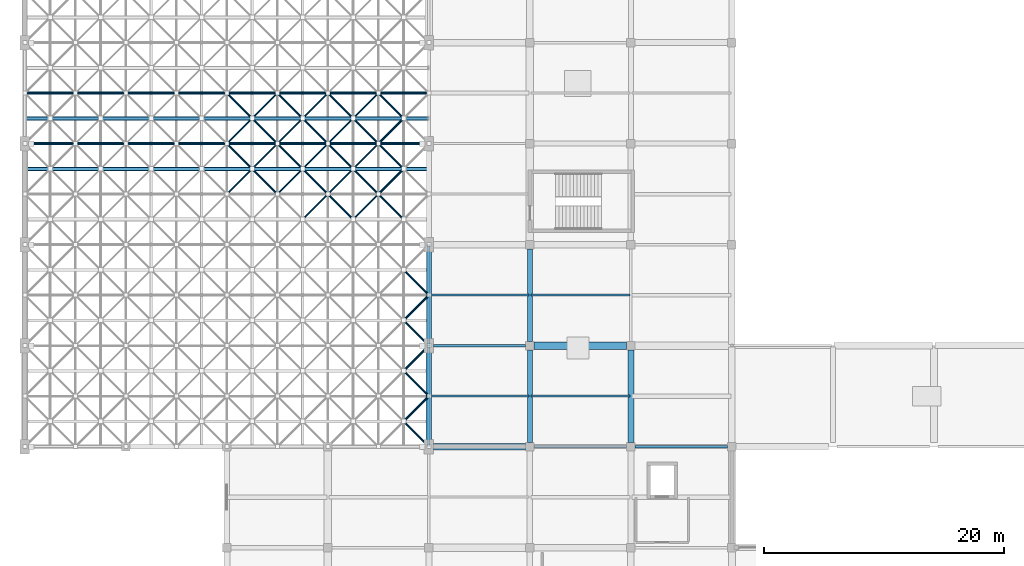
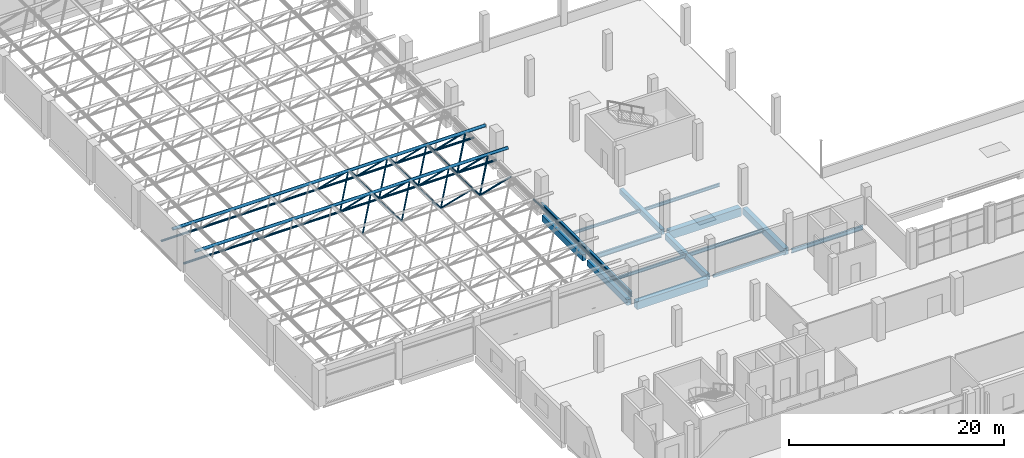
# One storey, part 17 of 64: 43 members, 16 beams.
"""IFC4 building model written with IfcOpenShell, lengths in metres."""

from ifc_helpers import new_model, si_unit, derived_unit, direction, frame, origin, origin_2d, place, context, subcontext, project, spatial, rectangle, hollow_rectangle, hollow_circle, i_section, extrude, material, material_profile, profile_set, type_object, element, save


model = new_model("IFC4")

# Units and contexts
model_context = context("Model", 3, precision=1e-05, world=origin(), true_north=direction((0.0, 1.0)))
body_context = subcontext(model_context, "Body", "Model", "MODEL_VIEW")
ifc_project = project(units=[si_unit("LENGTHUNIT", "METRE"), si_unit("AREAUNIT", "SQUARE_METRE"), si_unit("VOLUMEUNIT", "CUBIC_METRE"), si_unit("PLANEANGLEUNIT", "RADIAN"), si_unit("MASSUNIT", "GRAM", prefix="KILO"), derived_unit("THERMALTRANSMITTANCEUNIT", [(si_unit("POWERUNIT", "WATT"), 1), (si_unit("LENGTHUNIT", "METRE"), -2), (si_unit("THERMODYNAMICTEMPERATUREUNIT", "KELVIN"), -1)])], contexts=[model_context])

# Site, building, storey
site_placement = place(None, origin())
site = spatial("IfcSite", under=ifc_project, at=site_placement, CompositionType="ELEMENT")
building_placement = place(site_placement, origin())
building = spatial("IfcBuilding", under=site, at=building_placement, Name="Barrovel Congress Hotel", CompositionType="ELEMENT")
storey_placement = place(building_placement, frame((0.0, 0.0, 14.10009765625)))
storey = spatial("IfcBuildingStorey", under=building, at=storey_placement, Name="L03", CompositionType="ELEMENT", Elevation=14.10009765625)

# Beams
ifc_material_1 = material(Name="Concrete C40", Category="concrete")
ifc_material_profile_1 = material_profile(ifc_material_1, rectangle(XDim=0.39990234375, YDim=0.60009765625, at=origin_2d()), Name="RC400x600")
ifc_profile_set_1 = profile_set([ifc_material_profile_1], Name="Concrete C40")
beam_type_1 = type_object("IfcBeamType", Name="BM-RC400x600", PredefinedType="BEAM", material=ifc_profile_set_1)
beam_1_placement = place(storey_placement, frame((42.0, 46.550048828125, -0.5400390625), z_axis=(0.0, 1.0, 0.0), x_axis=(-1.0, 0.0, 0.0)))
element("IfcBeam", 1, at=beam_1_placement, inside=storey, type_object=beam_type_1, Name="BMY:L03:42.0:46.2-54.6", PredefinedType="BEAM", context=body_context, shape_type="SweptSolid", body=[
    extrude(rectangle(XDim=0.39990234375, YDim=0.60009765625, at=origin_2d()), origin(), (0.0, 0.0, 1.0), 7.699951171875),
])
ifc_material_profile_2 = material_profile(ifc_material_1, rectangle(XDim=0.39990234375, YDim=0.699951171875, at=origin_2d()), Name="RC400x700")
ifc_profile_set_2 = profile_set([ifc_material_profile_2], Name="Concrete C40")
beam_type_2 = type_object("IfcBeamType", Name="BM-RC400x700", PredefinedType="BEAM", material=ifc_profile_set_2)
beam_2_placement = place(storey_placement, frame((33.60009765625, 46.64990234375, -0.590087890625), z_axis=(0.0, 1.0, 0.0), x_axis=(-1.0, 0.0, 0.0)))
element("IfcBeam", 2, at=beam_2_placement, inside=storey, type_object=beam_type_2, Name="BMY:L03:33.6:46.2-54.6", PredefinedType="BEAM", context=body_context, shape_type="SweptSolid", body=[
    extrude(rectangle(XDim=0.39990234375, YDim=0.699951171875, at=origin_2d()), origin(), (0.0, 0.0, 1.0), 7.5),
])
beam_3_placement = place(storey_placement, frame((42.0, 38.14990234375, -0.590087890625), z_axis=(0.0, 1.0, 0.0), x_axis=(-1.0, 0.0, 0.0)))
element("IfcBeam", 3, at=beam_3_placement, inside=storey, type_object=beam_type_2, Name="BMY:L03:42.0:37.8-46.2", PredefinedType="BEAM", context=body_context, shape_type="SweptSolid", body=[
    extrude(rectangle(XDim=0.39990234375, YDim=0.699951171875, at=origin_2d()), origin(), (0.0, 0.0, 1.0), 7.7001953125),
])
ifc_material_profile_3 = material_profile(ifc_material_1, rectangle(XDim=0.449951171875, YDim=0.64990234375, at=origin_2d()), Name="RC450x650")
ifc_profile_set_3 = profile_set([ifc_material_profile_3], Name="Concrete C40")
beam_type_3 = type_object("IfcBeamType", Name="BM-RC450x650", PredefinedType="BEAM", material=ifc_profile_set_3)
beam_4_placement = place(storey_placement, frame((33.60009765625, 38.25, -0.565185546875), z_axis=(0.0, 1.0, 0.0), x_axis=(-1.0, 0.0, 0.0)))
element("IfcBeam", 4, at=beam_4_placement, inside=storey, type_object=beam_type_3, Name="BMY:L03:33.6:37.8-46.2", PredefinedType="BEAM", context=body_context, shape_type="SweptSolid", body=[
    extrude(rectangle(XDim=0.449951171875, YDim=0.64990234375, at=origin_2d()), origin(), (0.0, 0.0, 1.0), 7.5),
])
ifc_material_profile_4 = material_profile(ifc_material_1, rectangle(XDim=0.5, YDim=0.75, at=origin_2d()), Name="RC500x750")
ifc_profile_set_4 = profile_set([ifc_material_profile_4], Name="Concrete C40")
beam_type_4 = type_object("IfcBeamType", Name="BM-RC500x750", PredefinedType="BEAM", material=ifc_profile_set_4)
beam_5_placement = place(storey_placement, frame((50.39990234375, 38.14990234375, -0.614990234375), z_axis=(0.0, 1.0, 0.0), x_axis=(-1.0, 0.0, 0.0)))
element("IfcBeam", 5, at=beam_5_placement, inside=storey, type_object=beam_type_4, Name="BMY:L03:50.4:37.8-46.2", PredefinedType="BEAM", context=body_context, shape_type="SweptSolid", body=[
    extrude(rectangle(XDim=0.5, YDim=0.75, at=origin_2d()), origin(), (0.0, 0.0, 1.0), 7.7001953125),
])
ifc_material_profile_5 = material_profile(ifc_material_1, rectangle(XDim=0.550048828125, YDim=0.89990234375, at=origin_2d()), Name="RC550x900")
ifc_profile_set_5 = profile_set([ifc_material_profile_5], Name="Concrete C40")
beam_type_5 = type_object("IfcBeamType", Name="BM-RC550x900", PredefinedType="BEAM", material=ifc_profile_set_5)
beam_6_placement = place(storey_placement, frame((34.0, 37.800048828125, -0.690185546875), z_axis=(1.0, 0.0, 0.0), x_axis=(0.0, 1.0, 0.0)))
element("IfcBeam", 6, at=beam_6_placement, inside=storey, type_object=beam_type_5, Name="BMX:L03:37.8:33.6-42.0", PredefinedType="BEAM", context=body_context, shape_type="SweptSolid", body=[
    extrude(rectangle(XDim=0.550048828125, YDim=0.89990234375, at=origin_2d()), origin(), (0.0, 0.0, 1.0), 7.64990234375),
])
ifc_material_profile_6 = material_profile(ifc_material_1, rectangle(XDim=0.60009765625, YDim=0.949951171875, at=origin_2d()), Name="RC600x950")
ifc_profile_set_6 = profile_set([ifc_material_profile_6], Name="Concrete C40")
beam_type_6 = type_object("IfcBeamType", Name="BM-RC600x950", PredefinedType="BEAM", material=ifc_profile_set_6)
beam_7_placement = place(storey_placement, frame((42.35009765625, 46.199951171875, -0.715087890625), z_axis=(1.0, 0.0, 0.0), x_axis=(0.0, 1.0, 0.0)))
element("IfcBeam", 7, at=beam_7_placement, inside=storey, type_object=beam_type_6, Name="BMX:L03:46.2:42.0-50.4", PredefinedType="BEAM", context=body_context, shape_type="SweptSolid", body=[
    extrude(rectangle(XDim=0.60009765625, YDim=0.949951171875, at=origin_2d()), origin(), (0.0, 0.0, 1.0), 7.699951171875),
])

# Members
ifc_material_2 = material(Name="Steel ASTM A500 Grade C", Category="steel")
ifc_material_profile_7 = material_profile(ifc_material_2, hollow_circle(Radius=0.084228515625, WallThickness=0.006591796875, at=origin_2d()), Name="CHS168.3x7.1")
ifc_profile_set_7 = profile_set([ifc_material_profile_7], Name="Steel ASTM A500 Grade C")
member_type_1 = type_object("IfcMemberType", Name="MEM-CHS168.3x7.1", PredefinedType="BRACE", material=ifc_profile_set_7)
for number, where, z_axis, x_axis, name in (
    (8, (16.800048828125, 58.800048828125, 0.599853515625), (0.527573976661, 0.527573976661, 0.665831358755), (-0.707106781187, 0.707106781187, 0.0), "Space Frame Roof Truss Diagonal 4-5-1"),
    (9, (21.0, 58.800048828125, 0.599853515625), (-0.527618240532, 0.527556903839, 0.665809811786), (-0.707065676302, -0.707147883682, 0.0), "Space Frame Roof Truss Diagonal 4-5-2"),
    (10, (16.800048828125, 63.0, 0.599853515625), (0.527556903839, -0.527618240532, 0.665809811786), (0.707147883682, 0.707065676302, 0.0), "Space Frame Roof Truss Diagonal 4-5-3"),
):
    element("IfcMember", number, at=place(storey_placement, frame(where, z_axis=z_axis, x_axis=x_axis)), inside=storey, type_object=member_type_1, Name=name, PredefinedType="BRACE", context=body_context, shape_type="SweptSolid", body=[
        extrude(hollow_circle(Radius=0.084228515625, WallThickness=0.006591796875, at=origin_2d()), origin(), (0.0, 0.0, 1.0), 3.980224609375),
    ])
member_1_placement = place(storey_placement, frame((21.0, 63.0, 0.599853515625), z_axis=(-0.527601167383, -0.527601167383, 0.665788266908), x_axis=(0.707106781187, -0.707106781187, 0.0)))
element("IfcMember", 11, at=member_1_placement, inside=storey, type_object=member_type_1, Name="Space Frame Roof Truss Diagonal 4-5-4", PredefinedType="BRACE", context=body_context, shape_type="SweptSolid", body=[
    extrude(hollow_circle(Radius=0.084228515625, WallThickness=0.006591796875, at=origin_2d()), origin(), (0.0, 0.0, 1.0), 3.98046875),
])
member_2_placement = place(storey_placement, frame((25.199951171875, 58.800048828125, 0.599853515625), z_axis=(-0.527556903839, -0.527618240532, 0.665809811786), x_axis=(0.707147883682, -0.707065676302, 0.0)))
element("IfcMember", 12, at=member_2_placement, inside=storey, type_object=member_type_1, Name="Space Frame Roof Truss Diagonal 5-4-4", PredefinedType="BRACE", context=body_context, shape_type="SweptSolid", body=[
    extrude(hollow_circle(Radius=0.084228515625, WallThickness=0.006591796875, at=origin_2d()), origin(), (0.0, 0.0, 1.0), 3.980224609375),
])
member_3_placement = place(storey_placement, frame((21.0, 63.0, 0.599853515625), z_axis=(0.527601167383, 0.527601167383, 0.665788266908), x_axis=(-0.707106781187, 0.707106781187, 0.0)))
element("IfcMember", 13, at=member_3_placement, inside=storey, type_object=member_type_1, Name="Space Frame Roof Truss Diagonal 5-6-1", PredefinedType="BRACE", context=body_context, shape_type="SweptSolid", body=[
    extrude(hollow_circle(Radius=0.084228515625, WallThickness=0.006591796875, at=origin_2d()), origin(), (0.0, 0.0, 1.0), 3.98046875),
])
for number, where, z_axis, x_axis, name in (
    (14, (25.199951171875, 63.0, 0.599853515625), (-0.527556903839, 0.527618240532, 0.665809811786), (-0.707147883682, -0.707065676302, 0.0), "Space Frame Roof Truss Diagonal 5-6-2"),
    (15, (21.0, 67.199951171875, 0.599853515625), (0.527618240532, -0.527556903839, 0.665809811786), (0.707065676302, 0.707147883682, 0.0), "Space Frame Roof Truss Diagonal 5-6-3"),
    (16, (25.199951171875, 67.199951171875, 0.599853515625), (-0.527573976661, -0.527573976661, 0.665831358755), (0.707106781187, -0.707106781187, 0.0), "Space Frame Roof Truss Diagonal 5-6-4"),
    (17, (25.199951171875, 58.800048828125, 0.599853515625), (0.527618240532, 0.527556903839, 0.665809811786), (-0.707065676302, 0.707147883682, 0.0), "Space Frame Roof Truss Diagonal 6-5-1"),
    (18, (29.39990234375, 58.800048828125, 0.599853515625), (-0.527573976661, 0.527573976661, 0.665831358755), (-0.707106781187, -0.707106781187, 0.0), "Space Frame Roof Truss Diagonal 6-5-2"),
):
    element("IfcMember", number, at=place(storey_placement, frame(where, z_axis=z_axis, x_axis=x_axis)), inside=storey, type_object=member_type_1, Name=name, PredefinedType="BRACE", context=body_context, shape_type="SweptSolid", body=[
        extrude(hollow_circle(Radius=0.084228515625, WallThickness=0.006591796875, at=origin_2d()), origin(), (0.0, 0.0, 1.0), 3.980224609375),
    ])
member_4_placement = place(storey_placement, frame((25.199951171875, 63.0, 0.599853515625), z_axis=(0.527601167383, -0.527601167383, 0.665788266908), x_axis=(0.707106781187, 0.707106781187, 0.0)))
element("IfcMember", 19, at=member_4_placement, inside=storey, type_object=member_type_1, Name="Space Frame Roof Truss Diagonal 6-5-3", PredefinedType="BRACE", context=body_context, shape_type="SweptSolid", body=[
    extrude(hollow_circle(Radius=0.084228515625, WallThickness=0.006591796875, at=origin_2d()), origin(), (0.0, 0.0, 1.0), 3.98046875),
])
member_5_placement = place(storey_placement, frame((29.39990234375, 63.0, 0.599853515625), z_axis=(-0.527556903839, -0.527618240532, 0.665809811786), x_axis=(0.707147883682, -0.707065676302, 0.0)))
element("IfcMember", 20, at=member_5_placement, inside=storey, type_object=member_type_1, Name="Space Frame Roof Truss Diagonal 6-5-4", PredefinedType="BRACE", context=body_context, shape_type="SweptSolid", body=[
    extrude(hollow_circle(Radius=0.084228515625, WallThickness=0.006591796875, at=origin_2d()), origin(), (0.0, 0.0, 1.0), 3.980224609375),
])
ifc_material_profile_8 = material_profile(ifc_material_2, hollow_circle(Radius=0.084228515625, WallThickness=0.0087890625, at=origin_2d()), Name="CHS168.3x9.5")
ifc_profile_set_8 = profile_set([ifc_material_profile_8], Name="Steel ASTM A500 Grade C")
member_type_2 = type_object("IfcMemberType", Name="MEM-CHS168.3x9.5", PredefinedType="BRACE", material=ifc_profile_set_8)
member_6_placement = place(storey_placement, frame((16.800048828125, 63.0, 0.599853515625), z_axis=(0.527556903839, 0.527618240532, 0.665809811786), x_axis=(-0.707147883682, 0.707065676302, 0.0)))
element("IfcMember", 21, at=member_6_placement, inside=storey, type_object=member_type_2, Name="Space Frame Roof Truss Diagonal 4-6-1", PredefinedType="BRACE", context=body_context, shape_type="SweptSolid", body=[
    extrude(hollow_circle(Radius=0.084228515625, WallThickness=0.0087890625, at=origin_2d()), origin(), (0.0, 0.0, 1.0), 3.980224609375),
])
member_7_placement = place(storey_placement, frame((21.0, 63.0, 0.599853515625), z_axis=(-0.527601167383, 0.527601167383, 0.665788266908), x_axis=(-0.707106781187, -0.707106781187, 0.0)))
element("IfcMember", 22, at=member_7_placement, inside=storey, type_object=member_type_2, Name="Space Frame Roof Truss Diagonal 4-6-2", PredefinedType="BRACE", context=body_context, shape_type="SweptSolid", body=[
    extrude(hollow_circle(Radius=0.084228515625, WallThickness=0.0087890625, at=origin_2d()), origin(), (0.0, 0.0, 1.0), 3.98046875),
])
for number, where, z_axis, x_axis, name in (
    (23, (16.800048828125, 67.199951171875, 0.599853515625), (0.527573976661, -0.527573976661, 0.665831358755), (0.707106781187, 0.707106781187, 0.0), "Space Frame Roof Truss Diagonal 4-6-3"),
    (24, (21.0, 67.199951171875, 0.599853515625), (-0.527618240532, -0.527556903839, 0.665809811786), (0.707065676302, -0.707147883682, 0.0), "Space Frame Roof Truss Diagonal 4-6-4"),
    (25, (21.0, 58.800048828125, 0.599853515625), (0.527618240532, 0.527556903839, 0.665809811786), (-0.707065676302, 0.707147883682, 0.0), "Space Frame Roof Truss Diagonal 5-5-1"),
    (26, (25.199951171875, 58.800048828125, 0.599853515625), (-0.527573976661, 0.527573976661, 0.665831358755), (-0.707106781187, -0.707106781187, 0.0), "Space Frame Roof Truss Diagonal 5-5-2"),
):
    element("IfcMember", number, at=place(storey_placement, frame(where, z_axis=z_axis, x_axis=x_axis)), inside=storey, type_object=member_type_2, Name=name, PredefinedType="BRACE", context=body_context, shape_type="SweptSolid", body=[
        extrude(hollow_circle(Radius=0.084228515625, WallThickness=0.0087890625, at=origin_2d()), origin(), (0.0, 0.0, 1.0), 3.980224609375),
    ])
member_8_placement = place(storey_placement, frame((21.0, 63.0, 0.599853515625), z_axis=(0.527601167383, -0.527601167383, 0.665788266908), x_axis=(0.707106781187, 0.707106781187, 0.0)))
element("IfcMember", 27, at=member_8_placement, inside=storey, type_object=member_type_2, Name="Space Frame Roof Truss Diagonal 5-5-3", PredefinedType="BRACE", context=body_context, shape_type="SweptSolid", body=[
    extrude(hollow_circle(Radius=0.084228515625, WallThickness=0.0087890625, at=origin_2d()), origin(), (0.0, 0.0, 1.0), 3.98046875),
])
member_9_placement = place(storey_placement, frame((25.199951171875, 63.0, 0.599853515625), z_axis=(-0.527556903839, -0.527618240532, 0.665809811786), x_axis=(0.707147883682, -0.707065676302, 0.0)))
element("IfcMember", 28, at=member_9_placement, inside=storey, type_object=member_type_2, Name="Space Frame Roof Truss Diagonal 5-5-4", PredefinedType="BRACE", context=body_context, shape_type="SweptSolid", body=[
    extrude(hollow_circle(Radius=0.084228515625, WallThickness=0.0087890625, at=origin_2d()), origin(), (0.0, 0.0, 1.0), 3.980224609375),
])
member_10_placement = place(storey_placement, frame((25.199951171875, 58.800048828125, 0.599853515625), z_axis=(0.527601167383, -0.527601167383, 0.665788266908), x_axis=(0.707106781187, 0.707106781187, 0.0)))
element("IfcMember", 29, at=member_10_placement, inside=storey, type_object=member_type_2, Name="Space Frame Roof Truss Diagonal 6-4-3", PredefinedType="BRACE", context=body_context, shape_type="SweptSolid", body=[
    extrude(hollow_circle(Radius=0.084228515625, WallThickness=0.0087890625, at=origin_2d()), origin(), (0.0, 0.0, 1.0), 3.98046875),
])
member_11_placement = place(storey_placement, frame((29.39990234375, 58.800048828125, 0.599853515625), z_axis=(-0.527556903839, -0.527618240532, 0.665809811786), x_axis=(0.707147883682, -0.707065676302, 0.0)))
element("IfcMember", 30, at=member_11_placement, inside=storey, type_object=member_type_2, Name="Space Frame Roof Truss Diagonal 6-4-4", PredefinedType="BRACE", context=body_context, shape_type="SweptSolid", body=[
    extrude(hollow_circle(Radius=0.084228515625, WallThickness=0.0087890625, at=origin_2d()), origin(), (0.0, 0.0, 1.0), 3.980224609375),
])
member_12_placement = place(storey_placement, frame((25.199951171875, 63.0, 0.599853515625), z_axis=(0.527601167383, 0.527601167383, 0.665788266908), x_axis=(-0.707106781187, 0.707106781187, 0.0)))
element("IfcMember", 31, at=member_12_placement, inside=storey, type_object=member_type_2, Name="Space Frame Roof Truss Diagonal 6-6-1", PredefinedType="BRACE", context=body_context, shape_type="SweptSolid", body=[
    extrude(hollow_circle(Radius=0.084228515625, WallThickness=0.0087890625, at=origin_2d()), origin(), (0.0, 0.0, 1.0), 3.98046875),
])
for number, where, z_axis, x_axis, name in (
    (32, (29.39990234375, 63.0, 0.599853515625), (-0.527556903839, 0.527618240532, 0.665809811786), (-0.707147883682, -0.707065676302, 0.0), "Space Frame Roof Truss Diagonal 6-6-2"),
    (33, (25.199951171875, 67.199951171875, 0.599853515625), (0.527618240532, -0.527556903839, 0.665809811786), (0.707065676302, 0.707147883682, 0.0), "Space Frame Roof Truss Diagonal 6-6-3"),
    (34, (29.39990234375, 67.199951171875, 0.599853515625), (-0.527573976661, -0.527573976661, 0.665831358755), (0.707106781187, -0.707106781187, 0.0), "Space Frame Roof Truss Diagonal 6-6-4"),
):
    element("IfcMember", number, at=place(storey_placement, frame(where, z_axis=z_axis, x_axis=x_axis)), inside=storey, type_object=member_type_2, Name=name, PredefinedType="BRACE", context=body_context, shape_type="SweptSolid", body=[
        extrude(hollow_circle(Radius=0.084228515625, WallThickness=0.0087890625, at=origin_2d()), origin(), (0.0, 0.0, 1.0), 3.980224609375),
    ])
ifc_material_profile_9 = material_profile(ifc_material_2, hollow_circle(Radius=0.096923828125, WallThickness=0.0087890625, at=origin_2d()), Name="CHS193.7x9.5")
ifc_profile_set_9 = profile_set([ifc_material_profile_9], Name="Steel ASTM A500 Grade C")
member_type_3 = type_object("IfcMemberType", Name="MEM-CHS193.7x9.5", PredefinedType="BRACE", material=ifc_profile_set_9)
member_13_placement = place(storey_placement, frame((33.60009765625, 37.800048828125, 0.599853515625), z_axis=(-0.527618240532, 0.527556903839, 0.665809811786), x_axis=(-0.707065676302, -0.707147883682, 0.0)))
element("IfcMember", 35, at=member_13_placement, inside=storey, type_object=member_type_3, Name="Space Frame Roof Truss Diagonal 7-0-2", PredefinedType="BRACE", context=body_context, shape_type="SweptSolid", body=[
    extrude(hollow_circle(Radius=0.096923828125, WallThickness=0.0087890625, at=origin_2d()), origin(), (0.0, 0.0, 1.0), 3.980224609375),
])
for number, where, z_axis, x_axis, name in (
    (36, (33.60009765625, 42.0, 0.599853515625), (-0.527601167383, -0.527601167383, 0.665788266908), (0.707106781187, -0.707106781187, 0.0), "Space Frame Roof Truss Diagonal 7-0-4"),
    (37, (33.60009765625, 42.0, 0.599853515625), (-0.527601167383, 0.527601167383, 0.665788266908), (-0.707106781187, -0.707106781187, 0.0), "Space Frame Roof Truss Diagonal 7-1-2"),
):
    element("IfcMember", number, at=place(storey_placement, frame(where, z_axis=z_axis, x_axis=x_axis)), inside=storey, type_object=member_type_3, Name=name, PredefinedType="BRACE", context=body_context, shape_type="SweptSolid", body=[
        extrude(hollow_circle(Radius=0.096923828125, WallThickness=0.0087890625, at=origin_2d()), origin(), (0.0, 0.0, 1.0), 3.98046875),
    ])
member_14_placement = place(storey_placement, frame((33.60009765625, 46.199951171875, 0.599853515625), z_axis=(-0.527618240532, -0.527556903839, 0.665809811786), x_axis=(0.707065676302, -0.707147883682, 0.0)))
element("IfcMember", 38, at=member_14_placement, inside=storey, type_object=member_type_3, Name="Space Frame Roof Truss Diagonal 7-1-4", PredefinedType="BRACE", context=body_context, shape_type="SweptSolid", body=[
    extrude(hollow_circle(Radius=0.096923828125, WallThickness=0.0087890625, at=origin_2d()), origin(), (0.0, 0.0, 1.0), 3.980224609375),
])
member_15_placement = place(storey_placement, frame((33.60009765625, 46.199951171875, 0.599853515625), z_axis=(-0.527601167383, 0.527601167383, 0.665788266908), x_axis=(-0.707106781187, -0.707106781187, 0.0)))
element("IfcMember", 39, at=member_15_placement, inside=storey, type_object=member_type_3, Name="Space Frame Roof Truss Diagonal 7-2-2", PredefinedType="BRACE", context=body_context, shape_type="SweptSolid", body=[
    extrude(hollow_circle(Radius=0.096923828125, WallThickness=0.0087890625, at=origin_2d()), origin(), (0.0, 0.0, 1.0), 3.98046875),
])
member_16_placement = place(storey_placement, frame((33.60009765625, 50.39990234375, 0.599853515625), z_axis=(-0.527618240532, -0.527556903839, 0.665809811786), x_axis=(0.707065676302, -0.707147883682, 0.0)))
element("IfcMember", 40, at=member_16_placement, inside=storey, type_object=member_type_3, Name="Space Frame Roof Truss Diagonal 7-2-4", PredefinedType="BRACE", context=body_context, shape_type="SweptSolid", body=[
    extrude(hollow_circle(Radius=0.096923828125, WallThickness=0.0087890625, at=origin_2d()), origin(), (0.0, 0.0, 1.0), 3.980224609375),
])
for number, where, z_axis, x_axis, name in (
    (41, (33.60009765625, 50.39990234375, 0.599853515625), (-0.527601167383, 0.527601167383, 0.665788266908), (-0.707106781187, -0.707106781187, 0.0), "Space Frame Roof Truss Diagonal 7-3-2"),
    (42, (29.39990234375, 58.800048828125, 0.599853515625), (0.527601167383, -0.527601167383, 0.665788266908), (0.707106781187, 0.707106781187, 0.0), "Space Frame Roof Truss Diagonal 7-4-3"),
):
    element("IfcMember", number, at=place(storey_placement, frame(where, z_axis=z_axis, x_axis=x_axis)), inside=storey, type_object=member_type_3, Name=name, PredefinedType="BRACE", context=body_context, shape_type="SweptSolid", body=[
        extrude(hollow_circle(Radius=0.096923828125, WallThickness=0.0087890625, at=origin_2d()), origin(), (0.0, 0.0, 1.0), 3.98046875),
    ])
member_17_placement = place(storey_placement, frame((29.39990234375, 58.800048828125, 0.599853515625), z_axis=(0.527618240532, 0.527556903839, 0.665809811786), x_axis=(-0.707065676302, 0.707147883682, 0.0)))
element("IfcMember", 43, at=member_17_placement, inside=storey, type_object=member_type_3, Name="Space Frame Roof Truss Diagonal 7-5-1", PredefinedType="BRACE", context=body_context, shape_type="SweptSolid", body=[
    extrude(hollow_circle(Radius=0.096923828125, WallThickness=0.0087890625, at=origin_2d()), origin(), (0.0, 0.0, 1.0), 3.980224609375),
])
for number, where, z_axis, x_axis, name in (
    (44, (29.39990234375, 63.0, 0.599853515625), (0.527601167383, -0.527601167383, 0.665788266908), (0.707106781187, 0.707106781187, 0.0), "Space Frame Roof Truss Diagonal 7-5-3"),
    (45, (29.39990234375, 63.0, 0.599853515625), (0.527601167383, 0.527601167383, 0.665788266908), (-0.707106781187, 0.707106781187, 0.0), "Space Frame Roof Truss Diagonal 7-6-1"),
):
    element("IfcMember", number, at=place(storey_placement, frame(where, z_axis=z_axis, x_axis=x_axis)), inside=storey, type_object=member_type_3, Name=name, PredefinedType="BRACE", context=body_context, shape_type="SweptSolid", body=[
        extrude(hollow_circle(Radius=0.096923828125, WallThickness=0.0087890625, at=origin_2d()), origin(), (0.0, 0.0, 1.0), 3.98046875),
    ])
member_18_placement = place(storey_placement, frame((29.39990234375, 67.199951171875, 0.599853515625), z_axis=(0.527618240532, -0.527556903839, 0.665809811786), x_axis=(0.707065676302, 0.707147883682, 0.0)))
element("IfcMember", 46, at=member_18_placement, inside=storey, type_object=member_type_3, Name="Space Frame Roof Truss Diagonal 7-6-3", PredefinedType="BRACE", context=body_context, shape_type="SweptSolid", body=[
    extrude(hollow_circle(Radius=0.096923828125, WallThickness=0.0087890625, at=origin_2d()), origin(), (0.0, 0.0, 1.0), 3.980224609375),
])
ifc_material_profile_10 = material_profile(ifc_material_2, hollow_circle(Radius=0.122314453125, WallThickness=0.01171875, at=origin_2d()), Name="CHS244.5x12.7")
ifc_profile_set_10 = profile_set([ifc_material_profile_10], Name="Steel ASTM A500 Grade C")
member_type_4 = type_object("IfcMemberType", Name="MEM-CHS244.5x12.7", PredefinedType="CHORD", material=ifc_profile_set_10)
for number, where, z_axis, x_axis, name in (
    (47, (0.0, 63.0, 0.599853515625), (1.0, 0.0, 0.0), (0.0, 1.0, 0.0), "Space Frame Roof Truss Bottom Chord X 6"),
    (48, (0.0, 67.199951171875, 0.599853515625), (1.0, 0.0, 0.0), (0.0, 1.0, 0.0), "Space Frame Roof Truss Bottom Chord X 7"),
):
    element("IfcMember", number, at=place(storey_placement, frame(where, z_axis=z_axis, x_axis=x_axis)), inside=storey, type_object=member_type_4, Name=name, PredefinedType="CHORD", context=body_context, shape_type="SweptSolid", body=[
        extrude(hollow_circle(Radius=0.122314453125, WallThickness=0.01171875, at=origin_2d()), origin(), (0.0, 0.0, 1.0), 33.60009765625),
    ])
ifc_material_profile_11 = material_profile(ifc_material_2, hollow_circle(Radius=0.161865234375, WallThickness=0.01171875, at=origin_2d()), Name="CHS323.9x12.7")
ifc_profile_set_11 = profile_set([ifc_material_profile_11], Name="Steel ASTM A500 Grade C")
member_type_5 = type_object("IfcMemberType", Name="MEM-CHS323.9x12.7", PredefinedType="CHORD", material=ifc_profile_set_11)
for number, where, z_axis, x_axis, name in (
    (49, (0.0, 60.89990234375, 3.25), (1.0, 0.0, 0.0), (0.0, 1.0, 0.0), "Space Frame Roof Truss Top Chord X 5"),
    (50, (0.0, 65.10009765625, 3.25), (1.0, 0.0, 0.0), (0.0, 1.0, 0.0), "Space Frame Roof Truss Top Chord X 6"),
):
    element("IfcMember", number, at=place(storey_placement, frame(where, z_axis=z_axis, x_axis=x_axis)), inside=storey, type_object=member_type_5, Name=name, PredefinedType="CHORD", context=body_context, shape_type="SweptSolid", body=[
        extrude(hollow_circle(Radius=0.161865234375, WallThickness=0.01171875, at=origin_2d()), origin(), (0.0, 0.0, 1.0), 33.60009765625),
    ])

# Beams
ifc_material_profile_12 = material_profile(ifc_material_2, hollow_rectangle(XDim=0.203125, YDim=0.3046875, WallThickness=0.01171875, InnerFilletRadius=0.01171875, OuterFilletRadius=0.023681640625, at=origin_2d()), Name="HSS305x203x12.7")
ifc_profile_set_12 = profile_set([ifc_material_profile_12], Name="Steel ASTM A500 Grade C")
beam_type_7 = type_object("IfcBeamType", Name="SBM-HSS305x203x12.7", PredefinedType="SPANDREL", material=ifc_profile_set_12)
beam_8_placement = place(storey_placement, frame((42.35009765625, 37.800048828125, -0.392578125), z_axis=(1.0, 0.0, 0.0), x_axis=(0.0, 1.0, 0.0)))
element("IfcBeam", 51, at=beam_8_placement, inside=storey, type_object=beam_type_7, Name="BMX:L03:37.8:42.0-50.4", PredefinedType="SPANDREL", context=body_context, shape_type="SweptSolid", body=[
    extrude(hollow_rectangle(XDim=0.203125, YDim=0.3046875, WallThickness=0.01171875, InnerFilletRadius=0.01171875, OuterFilletRadius=0.023681640625, at=origin_2d()), origin(), (0.0, 0.0, 1.0), 7.699951171875),
])
ifc_material_3 = material(Name="Steel ASTM A992 Grade 50", Category="steel")
ifc_material_profile_13 = material_profile(ifc_material_3, i_section(OverallWidth=0.1669921875, OverallDepth=0.31689453125, WebThickness=0.007568359375, FlangeThickness=0.01318359375, FilletRadius=0.010986328125, at=origin_2d()), Name="W310x52")
ifc_profile_set_13 = profile_set([ifc_material_profile_13], Name="Steel ASTM A992 Grade 50")
beam_type_8 = type_object("IfcBeamType", Name="SBM-W310x52", PredefinedType="JOIST", material=ifc_profile_set_13)
beam_9_placement = place(storey_placement, frame((33.679931640625, 50.39990234375, -0.398681640625), z_axis=(1.0, 0.0, 0.0), x_axis=(0.0, 1.0, 0.0)))
element("IfcBeam", 52, at=beam_9_placement, inside=storey, type_object=beam_type_8, Name="JST:L03:33.6:50.4", PredefinedType="JOIST", context=body_context, shape_type="SweptSolid", body=[
    extrude(i_section(OverallWidth=0.1669921875, OverallDepth=0.31689453125, WebThickness=0.007568359375, FlangeThickness=0.01318359375, FilletRadius=0.010986328125, at=origin_2d()), origin(), (0.0, 0.0, 1.0), 8.239990234375),
])
ifc_material_profile_14 = material_profile(ifc_material_3, i_section(OverallWidth=0.1708984375, OverallDepth=0.35205078125, WebThickness=0.0068359375, FlangeThickness=0.009765625, FilletRadius=0.011962890625, at=origin_2d()), Name="W360x44")
ifc_profile_set_14 = profile_set([ifc_material_profile_14], Name="Steel ASTM A992 Grade 50")
beam_type_9 = type_object("IfcBeamType", Name="SBM-W360x44", PredefinedType="JOIST", material=ifc_profile_set_14)
beam_10_placement = place(storey_placement, frame((33.679931640625, 42.0, -0.416015625), z_axis=(1.0, 0.0, 0.0), x_axis=(0.0, 1.0, 0.0)))
element("IfcBeam", 53, at=beam_10_placement, inside=storey, type_object=beam_type_9, Name="JST:L03:33.6:42.0", PredefinedType="JOIST", context=body_context, shape_type="SweptSolid", body=[
    extrude(i_section(OverallWidth=0.1708984375, OverallDepth=0.35205078125, WebThickness=0.0068359375, FlangeThickness=0.009765625, FilletRadius=0.011962890625, at=origin_2d()), origin(), (0.0, 0.0, 1.0), 8.239990234375),
])
ifc_material_profile_15 = material_profile(ifc_material_3, i_section(OverallWidth=0.172119140625, OverallDepth=0.35791015625, WebThickness=0.0078125, FlangeThickness=0.01318359375, FilletRadius=0.011962890625, at=origin_2d()), Name="W360x57")
ifc_profile_set_15 = profile_set([ifc_material_profile_15], Name="Steel ASTM A992 Grade 50")
beam_type_10 = type_object("IfcBeamType", Name="SBM-W360x57", PredefinedType="JOIST", material=ifc_profile_set_15)
beam_11_placement = place(storey_placement, frame((42.080078125, 50.39990234375, -0.419189453125), z_axis=(1.0, 0.0, 0.0), x_axis=(0.0, 1.0, 0.0)))
element("IfcBeam", 54, at=beam_11_placement, inside=storey, type_object=beam_type_10, Name="JST:L03:42.0:50.4", PredefinedType="JOIST", context=body_context, shape_type="SweptSolid", body=[
    extrude(i_section(OverallWidth=0.172119140625, OverallDepth=0.35791015625, WebThickness=0.0078125, FlangeThickness=0.01318359375, FilletRadius=0.011962890625, at=origin_2d()), origin(), (0.0, 0.0, 1.0), 8.239990234375),
])
ifc_material_profile_16 = material_profile(ifc_material_3, i_section(OverallWidth=0.177001953125, OverallDepth=0.403076171875, WebThickness=0.007568359375, FlangeThickness=0.010986328125, FilletRadius=0.011962890625, at=origin_2d()), Name="W410x53")
ifc_profile_set_16 = profile_set([ifc_material_profile_16], Name="Steel ASTM A992 Grade 50")
beam_type_11 = type_object("IfcBeamType", Name="SBM-W410x53", PredefinedType="JOIST", material=ifc_profile_set_16)
beam_12_placement = place(storey_placement, frame((42.080078125, 42.0, -0.441650390625), z_axis=(1.0, 0.0, 0.0), x_axis=(0.0, 1.0, 0.0)))
element("IfcBeam", 55, at=beam_12_placement, inside=storey, type_object=beam_type_11, Name="JST:L03:42.0:42.0", PredefinedType="JOIST", context=body_context, shape_type="SweptSolid", body=[
    extrude(i_section(OverallWidth=0.177001953125, OverallDepth=0.403076171875, WebThickness=0.007568359375, FlangeThickness=0.010986328125, FilletRadius=0.011962890625, at=origin_2d()), origin(), (0.0, 0.0, 1.0), 8.239990234375),
])
ifc_material_profile_17 = material_profile(ifc_material_3, i_section(OverallWidth=0.19091796875, OverallDepth=0.4599609375, WebThickness=0.010009765625, FlangeThickness=0.01611328125, FilletRadius=0.012939453125, at=origin_2d()), Name="W460x82")
ifc_profile_set_17 = profile_set([ifc_material_profile_17], Name="Steel ASTM A992 Grade 50")
beam_type_12 = type_object("IfcBeamType", Name="SBM-W460x82", PredefinedType="BEAM", material=ifc_profile_set_17)
beam_13_placement = place(storey_placement, frame((50.75, 37.800048828125, -0.47021484375), z_axis=(1.0, 0.0, 0.0), x_axis=(0.0, 1.0, 0.0)))
element("IfcBeam", 56, at=beam_13_placement, inside=storey, type_object=beam_type_12, Name="BMX:L03:37.8:50.4-58.8", PredefinedType="BEAM", context=body_context, shape_type="SweptSolid", body=[
    extrude(i_section(OverallWidth=0.19091796875, OverallDepth=0.4599609375, WebThickness=0.010009765625, FlangeThickness=0.01611328125, FilletRadius=0.012939453125, at=origin_2d()), origin(), (0.0, 0.0, 1.0), 7.699951171875),
])
ifc_material_profile_18 = material_profile(ifc_material_3, i_section(OverallWidth=0.208984375, OverallDepth=0.529052734375, WebThickness=0.009765625, FlangeThickness=0.013671875, FilletRadius=0.013916015625, at=origin_2d()), Name="W530x74")
ifc_profile_set_18 = profile_set([ifc_material_profile_18], Name="Steel ASTM A992 Grade 50")
beam_type_13 = type_object("IfcBeamType", Name="SBM-W530x74", PredefinedType="BEAM", material=ifc_profile_set_18)
beam_14_placement = place(storey_placement, frame((34.0, 46.199951171875, -0.504638671875), z_axis=(1.0, 0.0, 0.0), x_axis=(0.0, 1.0, 0.0)))
element("IfcBeam", 57, at=beam_14_placement, inside=storey, type_object=beam_type_13, Name="BMX:L03:46.2:33.6-42.0", PredefinedType="BEAM", context=body_context, shape_type="SweptSolid", body=[
    extrude(i_section(OverallWidth=0.208984375, OverallDepth=0.529052734375, WebThickness=0.009765625, FlangeThickness=0.013671875, FilletRadius=0.013916015625, at=origin_2d()), origin(), (0.0, 0.0, 1.0), 7.64990234375),
])
ifc_material_profile_19 = material_profile(ifc_material_3, i_section(OverallWidth=0.22900390625, OverallDepth=0.612060546875, WebThickness=0.011962890625, FlangeThickness=0.01953125, FilletRadius=0.014892578125, at=origin_2d()), Name="W610x125")
ifc_profile_set_19 = profile_set([ifc_material_profile_19], Name="Steel ASTM A992 Grade 50")
beam_type_14 = type_object("IfcBeamType", Name="SBM-W610x125", PredefinedType="BEAM", material=ifc_profile_set_19)
beam_15_placement = place(storey_placement, frame((33.60009765625, 37.800048828125, 0.599853515625), z_axis=(0.0, 1.0, 0.0), x_axis=(-1.0, 0.0, 0.0)))
element("IfcBeam", 58, at=beam_15_placement, inside=storey, type_object=beam_type_14, Name="Congress Roof Truss Collector Beam 34-1", PredefinedType="BEAM", context=body_context, shape_type="SweptSolid", body=[
    extrude(i_section(OverallWidth=0.22900390625, OverallDepth=0.612060546875, WebThickness=0.011962890625, FlangeThickness=0.01953125, FilletRadius=0.014892578125, at=origin_2d()), origin(), (0.0, 0.0, 1.0), 8.39990234375),
])
beam_16_placement = place(storey_placement, frame((33.60009765625, 46.199951171875, 0.599853515625), z_axis=(0.0, 1.0, 0.0), x_axis=(-1.0, 0.0, 0.0)))
element("IfcBeam", 59, at=beam_16_placement, inside=storey, type_object=beam_type_14, Name="Congress Roof Truss Collector Beam 34-2", PredefinedType="BEAM", context=body_context, shape_type="SweptSolid", body=[
    extrude(i_section(OverallWidth=0.22900390625, OverallDepth=0.612060546875, WebThickness=0.011962890625, FlangeThickness=0.01953125, FilletRadius=0.014892578125, at=origin_2d()), origin(), (0.0, 0.0, 1.0), 8.400146484375),
])

save(model, "model.ifc")
